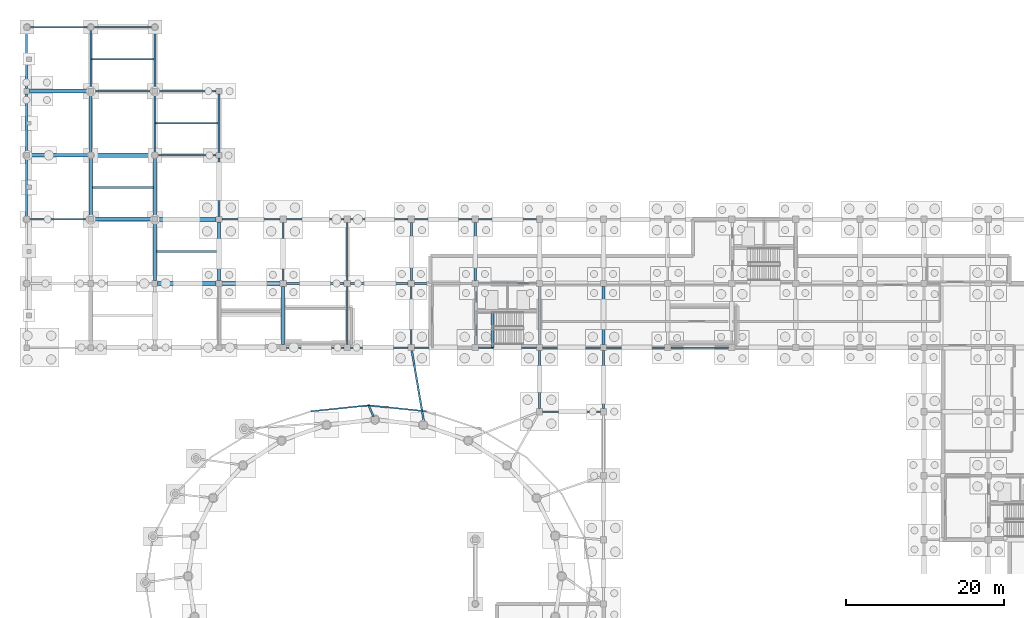
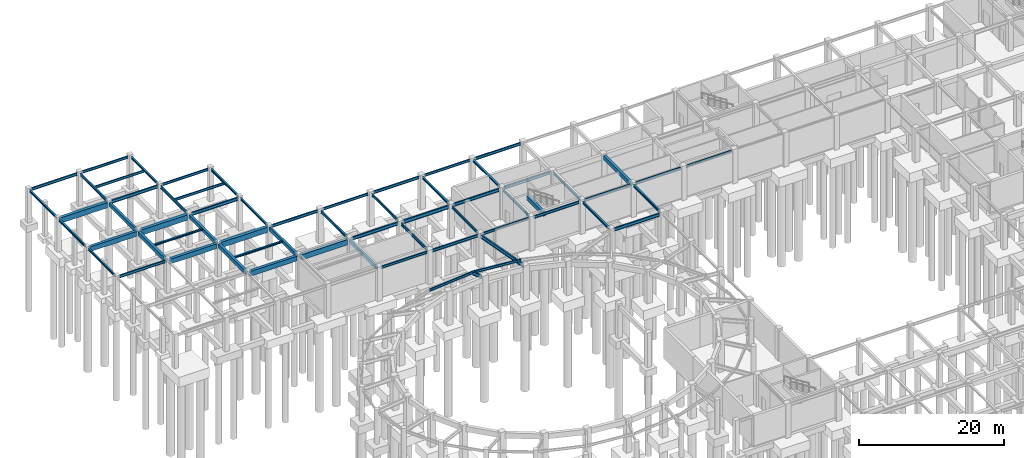
# One storey, part 13 of 26: 64 beams.
"""IFC4 building model written with IfcOpenShell, lengths in metres."""

from ifc_helpers import new_model, si_unit, direction, frame, origin, origin_2d, place, context, subcontext, project, spatial, rectangle, i_section, extrude, material, material_profile, profile_set, type_object, element, save


model = new_model("IFC4")

# Units and contexts
model_context = context("Model", 3, precision=1e-05, world=origin(), true_north=direction((0.0, 1.0)))
body_context = subcontext(model_context, "Body", "Model", "MODEL_VIEW")
ifc_project = project(units=[si_unit("LENGTHUNIT", "METRE"), si_unit("AREAUNIT", "SQUARE_METRE"), si_unit("VOLUMEUNIT", "CUBIC_METRE"), si_unit("PLANEANGLEUNIT", "RADIAN"), si_unit("MASSUNIT", "GRAM", prefix="KILO")], contexts=[model_context])

# Site, building, storey
site_placement = place(None, origin())
site = spatial("IfcSite", under=ifc_project, at=site_placement, CompositionType="ELEMENT")
building_placement = place(site_placement, origin())
building = spatial("IfcBuilding", under=site, at=building_placement, Name="Parian Resonance Hall", CompositionType="ELEMENT")
storey_placement = place(building_placement, frame((0.0, 0.0, -5.39990234375)))
storey = spatial("IfcBuildingStorey", under=building, at=storey_placement, Name="B1", CompositionType="ELEMENT", Elevation=-5.39990234375)

# Beams
ifc_material_1 = material(Name="Steel S355", Category="steel")
ifc_material_profile_1 = material_profile(ifc_material_1, i_section(OverallWidth=0.178955078125, OverallDepth=0.409912109375, WebThickness=0.0087890625, FlangeThickness=0.014404296875, FilletRadius=0.01513671875, at=origin_2d()), Name="W410x67")
ifc_profile_set_1 = profile_set([ifc_material_profile_1], Name="Steel S355")
beam_type_1 = type_object("IfcBeamType", Name="AL1 W410x67", PredefinedType="BEAM", material=ifc_profile_set_1)
for number, where, z_axis, x_axis, name in (
    (1, (8.197021484375, 109.35009765625, 4.914794921875), (1.0, 0.0, 0.0), (0.0, 1.0, 0.0), "JS-B1-0268"),
    (2, (16.297119140625, 101.25, 4.914794921875), (1.0, 0.0, 0.0), (0.0, 1.0, 0.0), "JS-B1-0270"),
):
    element("IfcBeam", number, at=place(storey_placement, frame(where, z_axis=z_axis, x_axis=x_axis)), inside=storey, type_object=beam_type_1, Name=name, PredefinedType="BEAM", context=body_context, shape_type="SweptSolid", body=[
        extrude(i_section(OverallWidth=0.178955078125, OverallDepth=0.409912109375, WebThickness=0.0087890625, FlangeThickness=0.014404296875, FilletRadius=0.01513671875, at=origin_2d()), origin(), (0.0, 0.0, 1.0), 7.87548828125),
    ])
ifc_material_2 = material(Name="Concrete C40/50", Category="concrete")
ifc_material_profile_2 = material_profile(ifc_material_2, rectangle(XDim=0.35009765625, YDim=0.60009765625, at=origin_2d()), Name="RC-BM-350x600")
ifc_profile_set_2 = profile_set([ifc_material_profile_2], Name="Concrete C40/50")
beam_type_2 = type_object("IfcBeamType", Name="BM-RC350x600", PredefinedType="BEAM", material=ifc_profile_set_2)
beam_1_placement = place(storey_placement, frame((8.10009765625, 97.550048828125, 4.81982421875), z_axis=(0.0, 1.0, 0.0), x_axis=(-1.0, 0.0, 0.0)))
element("IfcBeam", 3, at=beam_1_placement, inside=storey, type_object=beam_type_2, Name="GY-B1-0141", PredefinedType="BEAM", context=body_context, shape_type="SweptSolid", body=[
    extrude(rectangle(XDim=0.35009765625, YDim=0.60009765625, at=origin_2d()), origin(), (0.0, 0.0, 1.0), 7.39990234375),
])
beam_2_placement = place(storey_placement, frame((16.199951171875, 89.449951171875, 4.81982421875), z_axis=(0.0, 1.0, 0.0), x_axis=(-1.0, 0.0, 0.0)))
element("IfcBeam", 4, at=beam_2_placement, inside=storey, type_object=beam_type_2, Name="GY-B1-0145", PredefinedType="BEAM", context=body_context, shape_type="SweptSolid", body=[
    extrude(rectangle(XDim=0.35009765625, YDim=0.60009765625, at=origin_2d()), origin(), (0.0, 0.0, 1.0), 7.400146484375),
])
beam_3_placement = place(storey_placement, frame((24.300048828125, 81.35009765625, 4.81982421875), z_axis=(0.0, 1.0, 0.0), x_axis=(-1.0, 0.0, 0.0)))
element("IfcBeam", 5, at=beam_3_placement, inside=storey, type_object=beam_type_2, Name="GY-B1-0149", PredefinedType="BEAM", context=body_context, shape_type="SweptSolid", body=[
    extrude(rectangle(XDim=0.35009765625, YDim=0.60009765625, at=origin_2d()), origin(), (0.0, 0.0, 1.0), 7.39990234375),
])
beam_4_placement = place(storey_placement, frame((32.39990234375, 73.300048828125, 4.81982421875), z_axis=(0.0, 1.0, 0.0), x_axis=(-1.0, 0.0, 0.0)))
element("IfcBeam", 6, at=beam_4_placement, inside=storey, type_object=beam_type_2, Name="GY-B1-0152", PredefinedType="BEAM", context=body_context, shape_type="SweptSolid", body=[
    extrude(rectangle(XDim=0.35009765625, YDim=0.60009765625, at=origin_2d()), origin(), (0.0, 0.0, 1.0), 7.300048828125),
])
ifc_material_3 = material(Name="Concrete C40/50", Category="concrete")
ifc_material_profile_3 = material_profile(ifc_material_3, rectangle(XDim=0.39990234375, YDim=0.699951171875, at=origin_2d()), Name="RC-BM-400x700")
ifc_profile_set_3 = profile_set([ifc_material_profile_3], Name="Concrete C40/50")
beam_type_3 = type_object("IfcBeamType", Name="BM-RC400x700", PredefinedType="BEAM", material=ifc_profile_set_3)
beam_5_placement = place(storey_placement, frame((8.10009765625, 89.449951171875, 4.77001953125), z_axis=(0.0, 1.0, 0.0), x_axis=(-1.0, 0.0, 0.0)))
element("IfcBeam", 7, at=beam_5_placement, inside=storey, type_object=beam_type_3, Name="GY-B1-0140", PredefinedType="BEAM", context=body_context, shape_type="SweptSolid", body=[
    extrude(rectangle(XDim=0.39990234375, YDim=0.699951171875, at=origin_2d()), origin(), (0.0, 0.0, 1.0), 7.400146484375),
])
beam_6_placement = place(storey_placement, frame((16.199951171875, 81.35009765625, 4.77001953125), z_axis=(0.0, 1.0, 0.0), x_axis=(-1.0, 0.0, 0.0)))
element("IfcBeam", 8, at=beam_6_placement, inside=storey, type_object=beam_type_3, Name="GY-B1-0144", PredefinedType="BEAM", context=body_context, shape_type="SweptSolid", body=[
    extrude(rectangle(XDim=0.39990234375, YDim=0.699951171875, at=origin_2d()), origin(), (0.0, 0.0, 1.0), 7.39990234375),
])
beam_7_placement = place(storey_placement, frame((72.89990234375, 73.300048828125, 4.77978515625), z_axis=(0.0, 1.0, 0.0), x_axis=(-1.0, 0.0, 0.0)))
element("IfcBeam", 9, at=beam_7_placement, inside=storey, type_object=beam_type_3, Name="GY-B1-0174", PredefinedType="BEAM", context=body_context, shape_type="SweptSolid", body=[
    extrude(rectangle(XDim=0.39990234375, YDim=0.699951171875, at=origin_2d()), origin(), (0.0, 0.0, 1.0), 7.300048828125),
])
beam_8_placement = place(storey_placement, frame((58.860107421875, 72.89990234375, 4.77978515625), z_axis=(0.0, 1.0, 0.0), x_axis=(-1.0, 0.0, 0.0)))
element("IfcBeam", 10, at=beam_8_placement, inside=storey, type_object=beam_type_3, Name="Core K1 stair arrival trimmer beam B1", PredefinedType="BEAM", context=body_context, shape_type="SweptSolid", body=[
    extrude(rectangle(XDim=0.39990234375, YDim=0.699951171875, at=origin_2d()), origin(), (0.0, 0.0, 1.0), 4.650146484375),
])
ifc_material_4 = material(Name="Concrete C40/50", Category="concrete")
ifc_material_profile_4 = material_profile(ifc_material_4, rectangle(XDim=0.449951171875, YDim=0.800048828125, at=origin_2d()), Name="RC-BM-450x800")
ifc_profile_set_4 = profile_set([ifc_material_profile_4], Name="Concrete C40/50")
beam_type_4 = type_object("IfcBeamType", Name="BM-RC450x800", PredefinedType="USERDEFINED", material=ifc_profile_set_4)
beam_9_placement = place(storey_placement, frame((0.35009765625, 97.199951171875, 4.719970703125), z_axis=(1.0, 0.0, 0.0), x_axis=(0.0, 1.0, 0.0)))
element("IfcBeam", 11, at=beam_9_placement, inside=storey, type_object=beam_type_4, Name="GX-B1-0004", ObjectType="GIRDER", PredefinedType="USERDEFINED", context=body_context, shape_type="SweptSolid", body=[
    extrude(rectangle(XDim=0.449951171875, YDim=0.800048828125, at=origin_2d()), origin(), (0.0, 0.0, 1.0), 7.39990234375),
])
beam_10_placement = place(storey_placement, frame((8.449951171875, 89.10009765625, 4.719970703125), z_axis=(1.0, 0.0, 0.0), x_axis=(0.0, 1.0, 0.0)))
element("IfcBeam", 12, at=beam_10_placement, inside=storey, type_object=beam_type_4, Name="GX-B1-0009", ObjectType="GIRDER", PredefinedType="USERDEFINED", context=body_context, shape_type="SweptSolid", body=[
    extrude(rectangle(XDim=0.449951171875, YDim=0.800048828125, at=origin_2d()), origin(), (0.0, 0.0, 1.0), 7.400146484375),
])
beam_11_placement = place(storey_placement, frame((16.550048828125, 81.0, 4.719970703125), z_axis=(1.0, 0.0, 0.0), x_axis=(0.0, 1.0, 0.0)))
element("IfcBeam", 13, at=beam_11_placement, inside=storey, type_object=beam_type_4, Name="GX-B1-0014", ObjectType="GIRDER", PredefinedType="USERDEFINED", context=body_context, shape_type="SweptSolid", body=[
    extrude(rectangle(XDim=0.449951171875, YDim=0.800048828125, at=origin_2d()), origin(), (0.0, 0.0, 1.0), 7.39990234375),
])
ifc_material_5 = material(Name="Concrete C40/50", Category="concrete")
ifc_material_profile_5 = material_profile(ifc_material_5, rectangle(XDim=0.5, YDim=0.89990234375, at=origin_2d()), Name="RC-BM-500x900")
ifc_profile_set_5 = profile_set([ifc_material_profile_5], Name="Concrete C40/50")
beam_type_5 = type_object("IfcBeamType", Name="BM-RC500x900", PredefinedType="USERDEFINED", material=ifc_profile_set_5)
beam_12_placement = place(storey_placement, frame((0.35009765625, 105.300048828125, 4.669921875), z_axis=(1.0, 0.0, 0.0), x_axis=(0.0, 1.0, 0.0)))
element("IfcBeam", 14, at=beam_12_placement, inside=storey, type_object=beam_type_5, Name="GX-B1-0005", ObjectType="GIRDER", PredefinedType="USERDEFINED", context=body_context, shape_type="SweptSolid", body=[
    extrude(rectangle(XDim=0.5, YDim=0.89990234375, at=origin_2d()), origin(), (0.0, 0.0, 1.0), 7.39990234375),
])
beam_13_placement = place(storey_placement, frame((8.449951171875, 97.199951171875, 4.669921875), z_axis=(1.0, 0.0, 0.0), x_axis=(0.0, 1.0, 0.0)))
element("IfcBeam", 15, at=beam_13_placement, inside=storey, type_object=beam_type_5, Name="GX-B1-0010", ObjectType="GIRDER", PredefinedType="USERDEFINED", context=body_context, shape_type="SweptSolid", body=[
    extrude(rectangle(XDim=0.5, YDim=0.89990234375, at=origin_2d()), origin(), (0.0, 0.0, 1.0), 7.400146484375),
])
beam_14_placement = place(storey_placement, frame((16.550048828125, 89.10009765625, 4.669921875), z_axis=(1.0, 0.0, 0.0), x_axis=(0.0, 1.0, 0.0)))
element("IfcBeam", 16, at=beam_14_placement, inside=storey, type_object=beam_type_5, Name="GX-B1-0015", ObjectType="GIRDER", PredefinedType="USERDEFINED", context=body_context, shape_type="SweptSolid", body=[
    extrude(rectangle(XDim=0.5, YDim=0.89990234375, at=origin_2d()), origin(), (0.0, 0.0, 1.0), 7.39990234375),
])
beam_15_placement = place(storey_placement, frame((24.64990234375, 81.0, 4.669921875), z_axis=(1.0, 0.0, 0.0), x_axis=(0.0, 1.0, 0.0)))
element("IfcBeam", 17, at=beam_15_placement, inside=storey, type_object=beam_type_5, Name="GX-B1-0019", ObjectType="GIRDER", PredefinedType="USERDEFINED", context=body_context, shape_type="SweptSolid", body=[
    extrude(rectangle(XDim=0.5, YDim=0.89990234375, at=origin_2d()), origin(), (0.0, 0.0, 1.0), 7.35009765625),
])
ifc_material_6 = material(Name="Steel S355", Category="steel")
ifc_material_profile_6 = material_profile(ifc_material_6, i_section(OverallWidth=0.25390625, OverallDepth=0.305908203125, WebThickness=0.0087890625, FlangeThickness=0.0146484375, FilletRadius=0.01513671875, at=origin_2d()), Name="W310x79")
ifc_profile_set_6 = profile_set([ifc_material_profile_6], Name="Steel S355")
beam_type_6 = type_object("IfcBeamType", Name="BM-W310x79", PredefinedType="JOIST", material=ifc_profile_set_6)
beam_16_placement = place(storey_placement, frame((8.300048828125, 93.14990234375, 4.966796875), z_axis=(1.0, 0.0, 0.0), x_axis=(0.0, 1.0, 0.0)))
element("IfcBeam", 18, at=beam_16_placement, inside=storey, type_object=beam_type_6, Name="JS-B1-0267", PredefinedType="JOIST", context=body_context, shape_type="SweptSolid", body=[
    extrude(i_section(OverallWidth=0.25390625, OverallDepth=0.305908203125, WebThickness=0.0087890625, FlangeThickness=0.0146484375, FilletRadius=0.01513671875, at=origin_2d()), origin(), (0.0, 0.0, 1.0), 7.724853515625),
])
beam_17_placement = place(storey_placement, frame((16.39990234375, 85.050048828125, 4.966796875), z_axis=(1.0, 0.0, 0.0), x_axis=(0.0, 1.0, 0.0)))
element("IfcBeam", 19, at=beam_17_placement, inside=storey, type_object=beam_type_6, Name="JS-B1-0269", PredefinedType="JOIST", context=body_context, shape_type="SweptSolid", body=[
    extrude(i_section(OverallWidth=0.25390625, OverallDepth=0.305908203125, WebThickness=0.0087890625, FlangeThickness=0.0146484375, FilletRadius=0.01513671875, at=origin_2d()), origin(), (0.0, 0.0, 1.0), 7.72509765625),
])
ifc_material_7 = material(Name="Steel S355", Category="steel")
ifc_material_profile_7 = material_profile(ifc_material_7, i_section(OverallWidth=0.304931640625, OverallDepth=0.30810546875, WebThickness=0.010009765625, FlangeThickness=0.015380859375, FilletRadius=0.01513671875, at=origin_2d()), Name="W310x97")
ifc_profile_set_7 = profile_set([ifc_material_profile_7], Name="Steel S355")
beam_type_7 = type_object("IfcBeamType", Name="BM-W310x97", PredefinedType="BEAM", material=ifc_profile_set_7)
beam_18_placement = place(storey_placement, frame((56.699951171875, 81.39990234375, 4.975830078125), z_axis=(0.0, 1.0, 0.0), x_axis=(-1.0, 0.0, 0.0)))
element("IfcBeam", 20, at=beam_18_placement, inside=storey, type_object=beam_type_7, Name="GY-B1-0160", PredefinedType="BEAM", context=body_context, shape_type="SweptSolid", body=[
    extrude(i_section(OverallWidth=0.304931640625, OverallDepth=0.30810546875, WebThickness=0.010009765625, FlangeThickness=0.015380859375, FilletRadius=0.01513671875, at=origin_2d()), origin(), (0.0, 0.0, 1.0), 7.300048828125),
])
ifc_material_8 = material(Name="Steel S355", Category="steel")
ifc_material_profile_8 = material_profile(ifc_material_8, i_section(OverallWidth=0.2548828125, OverallDepth=0.35693359375, WebThickness=0.010498046875, FlangeThickness=0.018310546875, FilletRadius=0.01513671875, at=origin_2d()), Name="W360x101")
ifc_profile_set_8 = profile_set([ifc_material_profile_8], Name="Steel S355")
beam_type_8 = type_object("IfcBeamType", Name="BM-W360x101", PredefinedType="SPANDREL", material=ifc_profile_set_8)
beam_19_placement = place(storey_placement, frame((0.0, 89.449951171875, 4.991455078125), z_axis=(0.0, 1.0, 0.0), x_axis=(-1.0, 0.0, 0.0)))
element("IfcBeam", 21, at=beam_19_placement, inside=storey, type_object=beam_type_8, Name="GY-B1-0135", PredefinedType="SPANDREL", context=body_context, shape_type="SweptSolid", body=[
    extrude(i_section(OverallWidth=0.2548828125, OverallDepth=0.35693359375, WebThickness=0.010498046875, FlangeThickness=0.018310546875, FilletRadius=0.01513671875, at=origin_2d()), origin(), (0.0, 0.0, 1.0), 7.400146484375),
])
beam_20_placement = place(storey_placement, frame((0.0, 97.550048828125, 4.991455078125), z_axis=(0.0, 1.0, 0.0), x_axis=(-1.0, 0.0, 0.0)))
element("IfcBeam", 22, at=beam_20_placement, inside=storey, type_object=beam_type_8, Name="GY-B1-0136", PredefinedType="SPANDREL", context=body_context, shape_type="SweptSolid", body=[
    extrude(i_section(OverallWidth=0.2548828125, OverallDepth=0.35693359375, WebThickness=0.010498046875, FlangeThickness=0.018310546875, FilletRadius=0.01513671875, at=origin_2d()), origin(), (0.0, 0.0, 1.0), 7.39990234375),
])
for number, where, z_axis, x_axis, name in (
    (23, (0.0, 105.64990234375, 4.991455078125), (0.0, 1.0, 0.0), (-1.0, 0.0, 0.0), "GY-B1-0137"),
    (24, (16.199951171875, 105.64990234375, 4.94140625), (0.0, 1.0, 0.0), (-1.0, 0.0, 0.0), "GY-B1-0147"),
    (25, (24.300048828125, 89.449951171875, 4.94140625), (0.0, 1.0, 0.0), (-1.0, 0.0, 0.0), "GY-B1-0150"),
):
    element("IfcBeam", number, at=place(storey_placement, frame(where, z_axis=z_axis, x_axis=x_axis)), inside=storey, type_object=beam_type_8, Name=name, PredefinedType="SPANDREL", context=body_context, shape_type="SweptSolid", body=[
        extrude(i_section(OverallWidth=0.2548828125, OverallDepth=0.35693359375, WebThickness=0.010498046875, FlangeThickness=0.018310546875, FilletRadius=0.01513671875, at=origin_2d()), origin(), (0.0, 0.0, 1.0), 7.400146484375),
    ])
beam_21_placement = place(storey_placement, frame((24.300048828125, 97.550048828125, 4.94140625), z_axis=(0.0, 1.0, 0.0), x_axis=(-1.0, 0.0, 0.0)))
element("IfcBeam", 26, at=beam_21_placement, inside=storey, type_object=beam_type_8, Name="GY-B1-0151", PredefinedType="SPANDREL", context=body_context, shape_type="SweptSolid", body=[
    extrude(i_section(OverallWidth=0.2548828125, OverallDepth=0.35693359375, WebThickness=0.010498046875, FlangeThickness=0.018310546875, FilletRadius=0.01513671875, at=origin_2d()), origin(), (0.0, 0.0, 1.0), 7.39990234375),
])
for number, where, z_axis, x_axis, name in (
    (27, (48.60009765625, 81.39990234375, 4.94140625), (0.0, 1.0, 0.0), (-1.0, 0.0, 0.0), "GY-B1-0157"),
    (28, (56.699951171875, 73.300048828125, 4.951416015625), (0.0, 1.0, 0.0), (-1.0, 0.0, 0.0), "GY-B1-0159"),
    (29, (64.800048828125, 65.199951171875, 4.92138671875), (0.0, 1.0, 0.0), (-1.0, 0.0, 0.0), "GY-B1-0162"),
    (30, (64.800048828125, 73.300048828125, 4.951416015625), (0.0, 1.0, 0.0), (-1.0, 0.0, 0.0), "GY-B1-0163"),
    (31, (72.89990234375, 65.199951171875, 4.92138671875), (0.0, 1.0, 0.0), (-1.0, 0.0, 0.0), "GY-B1-0173"),
):
    element("IfcBeam", number, at=place(storey_placement, frame(where, z_axis=z_axis, x_axis=x_axis)), inside=storey, type_object=beam_type_8, Name=name, PredefinedType="SPANDREL", context=body_context, shape_type="SweptSolid", body=[
        extrude(i_section(OverallWidth=0.2548828125, OverallDepth=0.35693359375, WebThickness=0.010498046875, FlangeThickness=0.018310546875, FilletRadius=0.01513671875, at=origin_2d()), origin(), (0.0, 0.0, 1.0), 7.300048828125),
    ])
ifc_material_9 = material(Name="Steel S355", Category="steel")
ifc_material_profile_9 = material_profile(ifc_material_9, i_section(OverallWidth=0.180908203125, OverallDepth=0.4169921875, WebThickness=0.010986328125, FlangeThickness=0.018310546875, FilletRadius=0.01513671875, at=origin_2d()), Name="W410x85")
ifc_profile_set_9 = profile_set([ifc_material_profile_9], Name="Steel S355")
beam_type_9 = type_object("IfcBeamType", Name="BM-W410x85", PredefinedType="SPANDREL", material=ifc_profile_set_9)
beam_22_placement = place(storey_placement, frame((8.449951171875, 113.39990234375, 4.911376953125), z_axis=(1.0, 0.0, 0.0), x_axis=(0.0, 1.0, 0.0)))
element("IfcBeam", 32, at=beam_22_placement, inside=storey, type_object=beam_type_9, Name="GX-B1-0012", PredefinedType="SPANDREL", context=body_context, shape_type="SweptSolid", body=[
    extrude(i_section(OverallWidth=0.180908203125, OverallDepth=0.4169921875, WebThickness=0.010986328125, FlangeThickness=0.018310546875, FilletRadius=0.01513671875, at=origin_2d()), origin(), (0.0, 0.0, 1.0), 7.400146484375),
])
beam_23_placement = place(storey_placement, frame((16.550048828125, 105.300048828125, 4.911376953125), z_axis=(1.0, 0.0, 0.0), x_axis=(0.0, 1.0, 0.0)))
element("IfcBeam", 33, at=beam_23_placement, inside=storey, type_object=beam_type_9, Name="GX-B1-0017", PredefinedType="SPANDREL", context=body_context, shape_type="SweptSolid", body=[
    extrude(i_section(OverallWidth=0.180908203125, OverallDepth=0.4169921875, WebThickness=0.010986328125, FlangeThickness=0.018310546875, FilletRadius=0.01513671875, at=origin_2d()), origin(), (0.0, 0.0, 1.0), 7.39990234375),
])
for number, where, z_axis, x_axis, name in (
    (34, (32.800048828125, 72.89990234375, 4.911376953125), (1.0, 0.0, 0.0), (0.0, 1.0, 0.0), "GX-B1-0021"),
    (35, (32.800048828125, 89.10009765625, 4.911376953125), (1.0, 0.0, 0.0), (0.0, 1.0, 0.0), "GX-B1-0023"),
    (36, (49.0, 72.89990234375, 4.92138671875), (1.0, 0.0, 0.0), (0.0, 1.0, 0.0), "GX-B1-0027"),
    (37, (49.0, 89.10009765625, 4.92138671875), (1.0, 0.0, 0.0), (0.0, 1.0, 0.0), "GX-B1-0029"),
    (38, (81.39990234375, 72.89990234375, 4.92138671875), (1.0, 0.0, 0.0), (0.0, 1.0, 0.0), "GX-B1-0051"),
    (39, (40.5, 81.39990234375, 4.911376953125), (0.0, 1.0, 0.0), (-1.0, 0.0, 0.0), "GY-B1-0155"),
    (40, (48.60009765625, 73.300048828125, 4.911376953125), (0.0, 1.0, 0.0), (-1.0, 0.0, 0.0), "GY-B1-0156"),
):
    element("IfcBeam", number, at=place(storey_placement, frame(where, z_axis=z_axis, x_axis=x_axis)), inside=storey, type_object=beam_type_9, Name=name, PredefinedType="SPANDREL", context=body_context, shape_type="SweptSolid", body=[
        extrude(i_section(OverallWidth=0.180908203125, OverallDepth=0.4169921875, WebThickness=0.010986328125, FlangeThickness=0.018310546875, FilletRadius=0.01513671875, at=origin_2d()), origin(), (0.0, 0.0, 1.0), 7.300048828125),
    ])
beam_24_placement = place(storey_placement, frame((50.498779296875, 64.836669921875, 4.871337890625), z_axis=(-0.994574324008, 0.104028428926, 0.0), x_axis=(-0.104028428926, -0.994574324008, 0.0)))
element("IfcBeam", 41, at=beam_24_placement, inside=storey, type_object=beam_type_9, Name="Elliptical BASE perimeter spandrel beam 06", PredefinedType="SPANDREL", context=body_context, shape_type="SweptSolid", body=[
    extrude(i_section(OverallWidth=0.180908203125, OverallDepth=0.4169921875, WebThickness=0.010986328125, FlangeThickness=0.018310546875, FilletRadius=0.01513671875, at=origin_2d()), origin(), (0.0, 0.0, 1.0), 7.338623046875),
])
beam_25_placement = place(storey_placement, frame((43.199951171875, 65.60009765625, 4.871337890625), z_axis=(-0.994573963968, -0.10403187106, 0.0), x_axis=(0.10403187106, -0.994573963968, 0.0)))
element("IfcBeam", 42, at=beam_25_placement, inside=storey, type_object=beam_type_9, Name="Elliptical BASE perimeter spandrel beam 07", PredefinedType="SPANDREL", context=body_context, shape_type="SweptSolid", body=[
    extrude(i_section(OverallWidth=0.180908203125, OverallDepth=0.4169921875, WebThickness=0.010986328125, FlangeThickness=0.018310546875, FilletRadius=0.01513671875, at=origin_2d()), origin(), (0.0, 0.0, 1.0), 7.33837890625),
])
ifc_material_10 = material(Name="Steel S355", Category="steel")
ifc_material_profile_10 = material_profile(ifc_material_10, i_section(OverallWidth=0.194091796875, OverallDepth=0.468994140625, WebThickness=0.0126953125, FlangeThickness=0.0205078125, FilletRadius=0.01513671875, at=origin_2d()), Name="W460x106")
ifc_profile_set_10 = profile_set([ifc_material_profile_10], Name="Steel S355")
beam_type_10 = type_object("IfcBeamType", Name="BM-W460x106", PredefinedType="SPANDREL", material=ifc_profile_set_10)
beam_26_placement = place(storey_placement, frame((0.35009765625, 113.39990234375, 4.885498046875), z_axis=(1.0, 0.0, 0.0), x_axis=(0.0, 1.0, 0.0)))
element("IfcBeam", 43, at=beam_26_placement, inside=storey, type_object=beam_type_10, Name="GX-B1-0006", PredefinedType="SPANDREL", context=body_context, shape_type="SweptSolid", body=[
    extrude(i_section(OverallWidth=0.194091796875, OverallDepth=0.468994140625, WebThickness=0.0126953125, FlangeThickness=0.0205078125, FilletRadius=0.01513671875, at=origin_2d()), origin(), (0.0, 0.0, 1.0), 7.39990234375),
])
beam_27_placement = place(storey_placement, frame((24.64990234375, 89.10009765625, 4.885498046875), z_axis=(1.0, 0.0, 0.0), x_axis=(0.0, 1.0, 0.0)))
element("IfcBeam", 44, at=beam_27_placement, inside=storey, type_object=beam_type_10, Name="GX-B1-0020", PredefinedType="SPANDREL", context=body_context, shape_type="SweptSolid", body=[
    extrude(i_section(OverallWidth=0.194091796875, OverallDepth=0.468994140625, WebThickness=0.0126953125, FlangeThickness=0.0205078125, FilletRadius=0.01513671875, at=origin_2d()), origin(), (0.0, 0.0, 1.0), 7.35009765625),
])
for number, where, z_axis, x_axis, name in (
    (45, (40.89990234375, 72.89990234375, 4.885498046875), (1.0, 0.0, 0.0), (0.0, 1.0, 0.0), "GX-B1-0024"),
    (46, (40.89990234375, 89.10009765625, 4.885498046875), (1.0, 0.0, 0.0), (0.0, 1.0, 0.0), "GX-B1-0026"),
):
    element("IfcBeam", number, at=place(storey_placement, frame(where, z_axis=z_axis, x_axis=x_axis)), inside=storey, type_object=beam_type_10, Name=name, PredefinedType="SPANDREL", context=body_context, shape_type="SweptSolid", body=[
        extrude(i_section(OverallWidth=0.194091796875, OverallDepth=0.468994140625, WebThickness=0.0126953125, FlangeThickness=0.0205078125, FilletRadius=0.01513671875, at=origin_2d()), origin(), (0.0, 0.0, 1.0), 7.300048828125),
    ])
for number, where, z_axis, x_axis, name in (
    (47, (57.10009765625, 72.89990234375, 4.865478515625), (1.0, 0.0, 0.0), (0.0, 1.0, 0.0), "GX-B1-0031"),
    (48, (57.10009765625, 89.10009765625, 4.8955078125), (1.0, 0.0, 0.0), (0.0, 1.0, 0.0), "GX-B1-0033"),
):
    element("IfcBeam", number, at=place(storey_placement, frame(where, z_axis=z_axis, x_axis=x_axis)), inside=storey, type_object=beam_type_10, Name=name, PredefinedType="SPANDREL", context=body_context, shape_type="SweptSolid", body=[
        extrude(i_section(OverallWidth=0.194091796875, OverallDepth=0.468994140625, WebThickness=0.0126953125, FlangeThickness=0.0205078125, FilletRadius=0.01513671875, at=origin_2d()), origin(), (0.0, 0.0, 1.0), 7.2998046875),
    ])
beam_28_placement = place(storey_placement, frame((73.300048828125, 72.89990234375, 4.8955078125), z_axis=(1.0, 0.0, 0.0), x_axis=(0.0, 1.0, 0.0)))
element("IfcBeam", 49, at=beam_28_placement, inside=storey, type_object=beam_type_10, Name="GX-B1-0044", PredefinedType="SPANDREL", context=body_context, shape_type="SweptSolid", body=[
    extrude(i_section(OverallWidth=0.194091796875, OverallDepth=0.468994140625, WebThickness=0.0126953125, FlangeThickness=0.0205078125, FilletRadius=0.01513671875, at=origin_2d()), origin(), (0.0, 0.0, 1.0), 7.300048828125),
])
beam_29_placement = place(storey_placement, frame((8.10009765625, 105.64990234375, 4.885498046875), z_axis=(0.0, 1.0, 0.0), x_axis=(-1.0, 0.0, 0.0)))
element("IfcBeam", 50, at=beam_29_placement, inside=storey, type_object=beam_type_10, Name="GY-B1-0142", PredefinedType="SPANDREL", context=body_context, shape_type="SweptSolid", body=[
    extrude(i_section(OverallWidth=0.194091796875, OverallDepth=0.468994140625, WebThickness=0.0126953125, FlangeThickness=0.0205078125, FilletRadius=0.01513671875, at=origin_2d()), origin(), (0.0, 0.0, 1.0), 7.400146484375),
])
beam_30_placement = place(storey_placement, frame((16.199951171875, 97.550048828125, 4.885498046875), z_axis=(0.0, 1.0, 0.0), x_axis=(-1.0, 0.0, 0.0)))
element("IfcBeam", 51, at=beam_30_placement, inside=storey, type_object=beam_type_10, Name="GY-B1-0146", PredefinedType="SPANDREL", context=body_context, shape_type="SweptSolid", body=[
    extrude(i_section(OverallWidth=0.194091796875, OverallDepth=0.468994140625, WebThickness=0.0126953125, FlangeThickness=0.0205078125, FilletRadius=0.01513671875, at=origin_2d()), origin(), (0.0, 0.0, 1.0), 7.39990234375),
])
for number, where, z_axis, x_axis, name in (
    (52, (32.39990234375, 81.39990234375, 4.885498046875), (0.0, 1.0, 0.0), (-1.0, 0.0, 0.0), "GY-B1-0153"),
    (53, (40.5, 73.300048828125, 4.885498046875), (0.0, 1.0, 0.0), (-1.0, 0.0, 0.0), "GY-B1-0154"),
):
    element("IfcBeam", number, at=place(storey_placement, frame(where, z_axis=z_axis, x_axis=x_axis)), inside=storey, type_object=beam_type_10, Name=name, PredefinedType="SPANDREL", context=body_context, shape_type="SweptSolid", body=[
        extrude(i_section(OverallWidth=0.194091796875, OverallDepth=0.468994140625, WebThickness=0.0126953125, FlangeThickness=0.0205078125, FilletRadius=0.01513671875, at=origin_2d()), origin(), (0.0, 0.0, 1.0), 7.300048828125),
    ])
ifc_material_11 = material(Name="Steel S355", Category="steel")
ifc_material_profile_11 = material_profile(ifc_material_11, i_section(OverallWidth=0.19091796875, OverallDepth=0.4599609375, WebThickness=0.010009765625, FlangeThickness=0.01611328125, FilletRadius=0.01513671875, at=origin_2d()), Name="W460x82")
ifc_profile_set_11 = profile_set([ifc_material_profile_11], Name="Steel S355")
beam_type_11 = type_object("IfcBeamType", Name="BM-W460x82", PredefinedType="BEAM", material=ifc_profile_set_11)
beam_31_placement = place(storey_placement, frame((0.35009765625, 89.10009765625, 4.889892578125), z_axis=(1.0, 0.0, 0.0), x_axis=(0.0, 1.0, 0.0)))
element("IfcBeam", 54, at=beam_31_placement, inside=storey, type_object=beam_type_11, Name="GX-B1-0003", PredefinedType="BEAM", context=body_context, shape_type="SweptSolid", body=[
    extrude(i_section(OverallWidth=0.19091796875, OverallDepth=0.4599609375, WebThickness=0.010009765625, FlangeThickness=0.01611328125, FilletRadius=0.01513671875, at=origin_2d()), origin(), (0.0, 0.0, 1.0), 7.39990234375),
])
beam_32_placement = place(storey_placement, frame((57.10009765625, 81.0, 4.89990234375), z_axis=(1.0, 0.0, 0.0), x_axis=(0.0, 1.0, 0.0)))
element("IfcBeam", 55, at=beam_32_placement, inside=storey, type_object=beam_type_11, Name="GX-B1-0032", PredefinedType="BEAM", context=body_context, shape_type="SweptSolid", body=[
    extrude(i_section(OverallWidth=0.19091796875, OverallDepth=0.4599609375, WebThickness=0.010009765625, FlangeThickness=0.01611328125, FilletRadius=0.01513671875, at=origin_2d()), origin(), (0.0, 0.0, 1.0), 7.2998046875),
])
beam_33_placement = place(storey_placement, frame((65.199951171875, 72.89990234375, 4.869873046875), z_axis=(1.0, 0.0, 0.0), x_axis=(0.0, 1.0, 0.0)))
element("IfcBeam", 56, at=beam_33_placement, inside=storey, type_object=beam_type_11, Name="GX-B1-0037", PredefinedType="BEAM", context=body_context, shape_type="SweptSolid", body=[
    extrude(i_section(OverallWidth=0.19091796875, OverallDepth=0.4599609375, WebThickness=0.010009765625, FlangeThickness=0.01611328125, FilletRadius=0.01513671875, at=origin_2d()), origin(), (0.0, 0.0, 1.0), 7.300048828125),
])
ifc_material_12 = material(Name="Steel S355", Category="steel")
ifc_material_profile_12 = material_profile(ifc_material_12, i_section(OverallWidth=0.2119140625, OverallDepth=0.5439453125, WebThickness=0.01318359375, FlangeThickness=0.021240234375, FilletRadius=0.017822265625, at=origin_2d()), Name="W530x123")
ifc_profile_set_12 = profile_set([ifc_material_profile_12], Name="Steel S355")
beam_type_12 = type_object("IfcBeamType", Name="BM-W530x123", PredefinedType="USERDEFINED", material=ifc_profile_set_12)
beam_34_placement = place(storey_placement, frame((8.449951171875, 105.300048828125, 4.847900390625), z_axis=(1.0, 0.0, 0.0), x_axis=(0.0, 1.0, 0.0)))
element("IfcBeam", 57, at=beam_34_placement, inside=storey, type_object=beam_type_12, Name="GX-B1-0011", ObjectType="GIRDER", PredefinedType="USERDEFINED", context=body_context, shape_type="SweptSolid", body=[
    extrude(i_section(OverallWidth=0.2119140625, OverallDepth=0.5439453125, WebThickness=0.01318359375, FlangeThickness=0.021240234375, FilletRadius=0.017822265625, at=origin_2d()), origin(), (0.0, 0.0, 1.0), 7.400146484375),
])
beam_35_placement = place(storey_placement, frame((16.550048828125, 97.199951171875, 4.847900390625), z_axis=(1.0, 0.0, 0.0), x_axis=(0.0, 1.0, 0.0)))
element("IfcBeam", 58, at=beam_35_placement, inside=storey, type_object=beam_type_12, Name="GX-B1-0016", ObjectType="GIRDER", PredefinedType="USERDEFINED", context=body_context, shape_type="SweptSolid", body=[
    extrude(i_section(OverallWidth=0.2119140625, OverallDepth=0.5439453125, WebThickness=0.01318359375, FlangeThickness=0.021240234375, FilletRadius=0.017822265625, at=origin_2d()), origin(), (0.0, 0.0, 1.0), 7.39990234375),
])
beam_36_placement = place(storey_placement, frame((32.800048828125, 81.0, 4.847900390625), z_axis=(1.0, 0.0, 0.0), x_axis=(0.0, 1.0, 0.0)))
element("IfcBeam", 59, at=beam_36_placement, inside=storey, type_object=beam_type_12, Name="GX-B1-0022", ObjectType="GIRDER", PredefinedType="USERDEFINED", context=body_context, shape_type="SweptSolid", body=[
    extrude(i_section(OverallWidth=0.2119140625, OverallDepth=0.5439453125, WebThickness=0.01318359375, FlangeThickness=0.021240234375, FilletRadius=0.017822265625, at=origin_2d()), origin(), (0.0, 0.0, 1.0), 7.300048828125),
])
ifc_material_13 = material(Name="Steel S355", Category="steel")
ifc_material_profile_13 = material_profile(ifc_material_13, i_section(OverallWidth=0.208984375, OverallDepth=0.532958984375, WebThickness=0.01025390625, FlangeThickness=0.015625, FilletRadius=0.017822265625, at=origin_2d()), Name="W530x92")
ifc_profile_set_13 = profile_set([ifc_material_profile_13], Name="Steel S355")
beam_type_13 = type_object("IfcBeamType", Name="BM-W530x92", PredefinedType="BEAM", material=ifc_profile_set_13)
for number, where, z_axis, x_axis, name in (
    (60, (49.0, 81.0, 4.86328125), (1.0, 0.0, 0.0), (0.0, 1.0, 0.0), "GX-B1-0028"),
    (61, (65.199951171875, 64.800048828125, 4.83349609375), (1.0, 0.0, 0.0), (0.0, 1.0, 0.0), "GX-B1-0036"),
):
    element("IfcBeam", number, at=place(storey_placement, frame(where, z_axis=z_axis, x_axis=x_axis)), inside=storey, type_object=beam_type_13, Name=name, PredefinedType="BEAM", context=body_context, shape_type="SweptSolid", body=[
        extrude(i_section(OverallWidth=0.208984375, OverallDepth=0.532958984375, WebThickness=0.01025390625, FlangeThickness=0.015625, FilletRadius=0.017822265625, at=origin_2d()), origin(), (0.0, 0.0, 1.0), 7.300048828125),
    ])
ifc_material_14 = material(Name="Steel S355", Category="steel")
ifc_material_profile_14 = material_profile(ifc_material_14, i_section(OverallWidth=0.22802734375, OverallDepth=0.60791015625, WebThickness=0.01123046875, FlangeThickness=0.017333984375, FilletRadius=0.017822265625, at=origin_2d()), Name="W610x113")
ifc_profile_set_14 = profile_set([ifc_material_profile_14], Name="Steel S355")
beam_type_14 = type_object("IfcBeamType", Name="BM-W610x113", PredefinedType="USERDEFINED", material=ifc_profile_set_14)
beam_37_placement = place(storey_placement, frame((40.89990234375, 81.0, 4.81591796875), z_axis=(1.0, 0.0, 0.0), x_axis=(0.0, 1.0, 0.0)))
element("IfcBeam", 62, at=beam_37_placement, inside=storey, type_object=beam_type_14, Name="GX-B1-0025", ObjectType="GIRDER", PredefinedType="USERDEFINED", context=body_context, shape_type="SweptSolid", body=[
    extrude(i_section(OverallWidth=0.22802734375, OverallDepth=0.60791015625, WebThickness=0.01123046875, FlangeThickness=0.017333984375, FilletRadius=0.017822265625, at=origin_2d()), origin(), (0.0, 0.0, 1.0), 7.300048828125),
])
ifc_material_15 = material(Name="Steel S355", Category="steel")
ifc_material_profile_15 = material_profile(ifc_material_15, i_section(OverallWidth=0.22998046875, OverallDepth=0.616943359375, WebThickness=0.01318359375, FlangeThickness=0.022216796875, FilletRadius=0.017822265625, at=origin_2d()), Name="W610x140")
ifc_profile_set_15 = profile_set([ifc_material_profile_15], Name="Steel S355")
beam_type_15 = type_object("IfcBeamType", Name="CG1 W610x140", PredefinedType="USERDEFINED", material=ifc_profile_set_15)
beam_38_placement = place(storey_placement, frame((50.197021484375, 63.515380859375, 4.771484375), z_axis=(-0.167754271726, 0.985828841289, 0.0), x_axis=(-0.985828841289, -0.167754271726, 0.0)))
element("IfcBeam", 63, at=beam_38_placement, inside=storey, type_object=beam_type_15, Name="Radial spine girder BASE-06", ObjectType="GIRDER", PredefinedType="USERDEFINED", context=body_context, shape_type="SweptSolid", body=[
    extrude(i_section(OverallWidth=0.22998046875, OverallDepth=0.616943359375, WebThickness=0.01318359375, FlangeThickness=0.022216796875, FilletRadius=0.017822265625, at=origin_2d()), origin(), (0.0, 0.0, 1.0), 9.51953125),
])
beam_39_placement = place(storey_placement, frame((43.83740234375, 64.16552734375, 4.771484375), z_axis=(-0.406066315695, 0.913843612035, 0.0), x_axis=(-0.913843612035, -0.406066315695, 0.0)))
element("IfcBeam", 64, at=beam_39_placement, inside=storey, type_object=beam_type_15, Name="Radial ring cantilever girder BASE-07", ObjectType="GIRDER", PredefinedType="USERDEFINED", context=body_context, shape_type="SweptSolid", body=[
    extrude(i_section(OverallWidth=0.22998046875, OverallDepth=0.616943359375, WebThickness=0.01318359375, FlangeThickness=0.022216796875, FilletRadius=0.017822265625, at=origin_2d()), origin(), (0.0, 0.0, 1.0), 1.56982421875),
])

save(model, "model.ifc")
